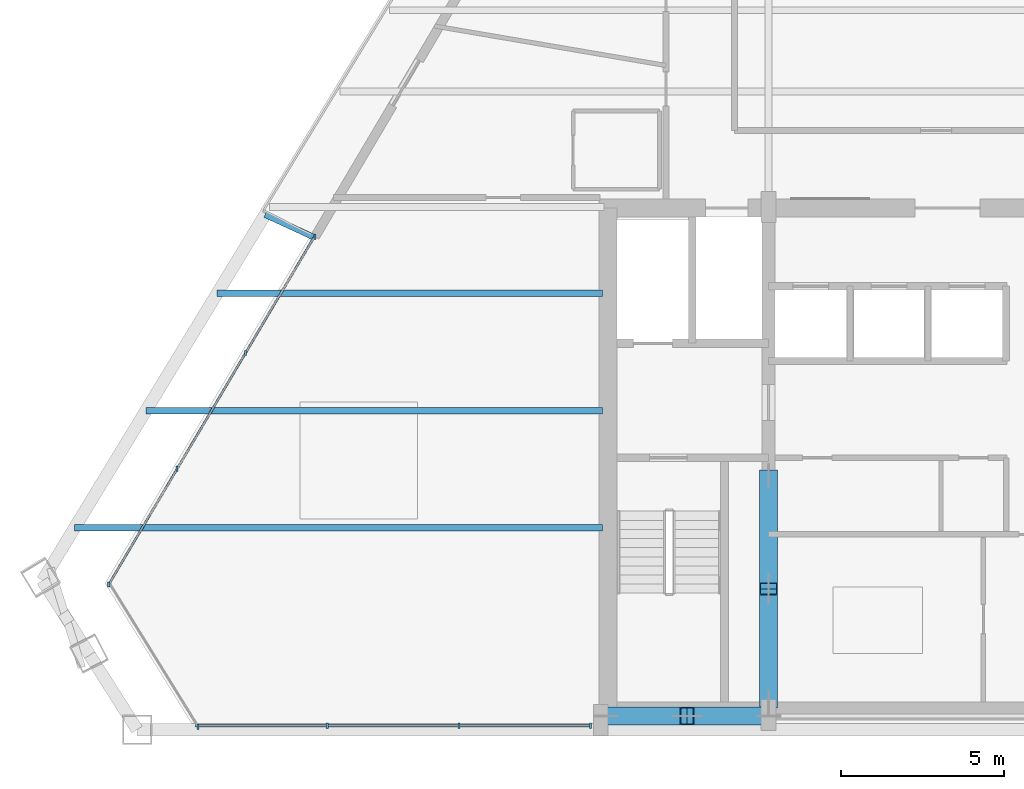
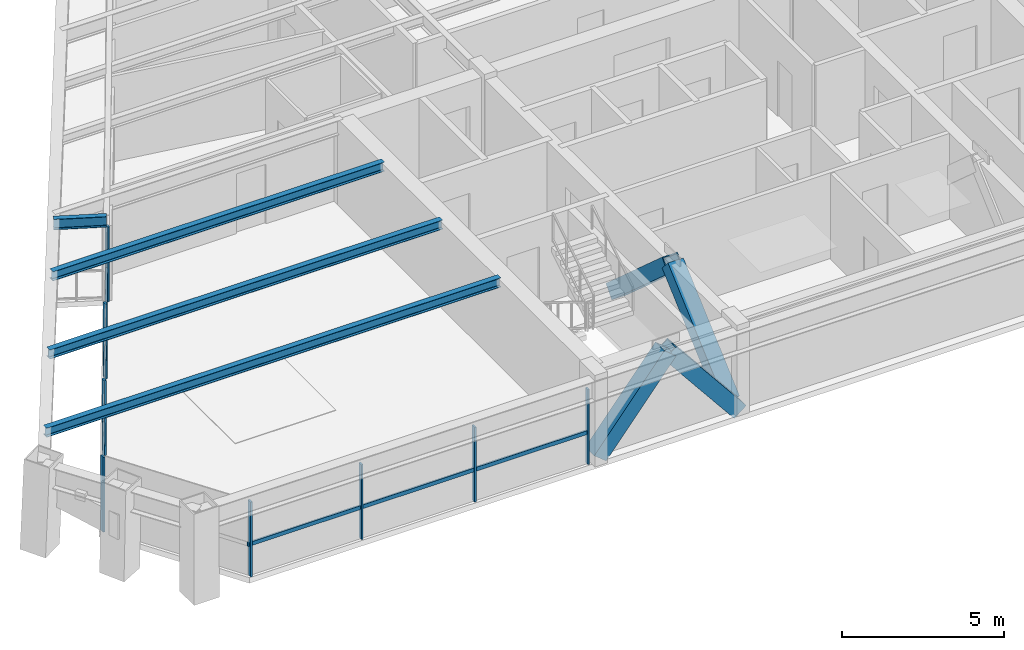
# One storey, part 2 of 13: 18 members, 4 beams, 3 elements without a shape of their own.
"""IFC4 building model written with IfcOpenShell, lengths in metres."""

from ifc_helpers import new_model, si_unit, direction, frame, origin, origin_2d, place, context, subcontext, project, spatial, rectangle, hollow_rectangle, i_section, extrude, source, transform, mapped, material, material_profile, profile_set, type_object, type_shapes, element, aggregate, save


model = new_model("IFC4")

# Units and contexts
model_context = context("Model", 3, precision=1e-05, world=origin(), true_north=direction((0.0, 1.0)))
body_context = subcontext(model_context, "Body", "Model", "MODEL_VIEW")
ifc_project = project(units=[si_unit("LENGTHUNIT", "METRE"), si_unit("AREAUNIT", "SQUARE_METRE"), si_unit("VOLUMEUNIT", "CUBIC_METRE"), si_unit("PLANEANGLEUNIT", "RADIAN"), si_unit("MASSUNIT", "GRAM", prefix="KILO")], contexts=[model_context])

# Site, building, storey
site_placement = place(None, origin())
site = spatial("IfcSite", under=ifc_project, at=site_placement, CompositionType="ELEMENT")
building_placement = place(site_placement, origin())
building = spatial("IfcBuilding", under=site, at=building_placement, Name="Varnakhor Terracotta Tower", CompositionType="ELEMENT")
storey_placement = place(building_placement, frame((0.0, 0.0, 237.25)))
storey = spatial("IfcBuildingStorey", under=building, at=storey_placement, Name="L61", CompositionType="ELEMENT", Elevation=237.25)

# Members
ifc_material_1 = material(Name="Steel S355", Category="steel")
ifc_material_profile_1 = material_profile(ifc_material_1, hollow_rectangle(XDim=0.550048828125, YDim=0.550048828125, WallThickness=0.034912109375, at=origin_2d()), Name="HSS550X550X35")
ifc_profile_set_1 = profile_set([ifc_material_profile_1], Name="Steel S355")
member_type_1 = type_object("IfcMemberType", Name="MBR-MEGA-550", PredefinedType="BRACE", material=ifc_profile_set_1)
shared_shape_1 = source(origin(), body_context, "Body", "SweptSolid", [
    extrude(hollow_rectangle(XDim=0.550048828125, YDim=0.550048828125, WallThickness=0.034912109375, at=origin_2d()), origin(), (0.0, 0.0, 1.0), 3.974853515625),
])
for number, where, z_axis, x_axis, name in (
    (1, (-10.5, 0.419921875, 0.0), (0.628970263838, 0.0, 0.777429358339), (0.0, 1.0, 0.0), "L61 Core Coupled Brace CSWA"),
    (2, (-5.5, 0.419921875, 0.0), (-0.628970263838, 0.0, 0.777429358339), (0.0, -1.0, 0.0), "L61 Core Coupled Brace CSWB"),
):
    element("IfcMember", number, at=place(storey_placement, frame(where, z_axis=z_axis, x_axis=x_axis)), inside=storey, type_object=member_type_1, Name=name, PredefinedType="BRACE", context=body_context, shape_type="MappedRepresentation", body=[
        mapped(shared_shape_1, transform((0.0, 0.0, 0.0), scale=1.0)),
    ])
shared_shape_2 = source(origin(), body_context, "Body", "SweptSolid", [
    extrude(hollow_rectangle(XDim=0.550048828125, YDim=0.550048828125, WallThickness=0.034912109375, at=origin_2d()), origin(), (0.0, 0.0, 1.0), 4.650146484375),
])
for number, where, z_axis, x_axis, name in (
    (3, (-5.5, 0.85009765625, 0.0), (0.0, 0.74726736397, 0.664523503532), (-1.0, 0.0, 0.0), "L61 Core Coupled Brace CWWA"),
    (4, (-5.5, 7.800048828125, 0.0), (0.0, -0.74729054724, 0.664497432655), (1.0, 0.0, 0.0), "L61 Core Coupled Brace CWWB"),
):
    element("IfcMember", number, at=place(storey_placement, frame(where, z_axis=z_axis, x_axis=x_axis)), inside=storey, type_object=member_type_1, Name=name, PredefinedType="BRACE", context=body_context, shape_type="MappedRepresentation", body=[
        mapped(shared_shape_2, transform((0.0, 0.0, 0.0), scale=1.0)),
    ])

# Beams
ifc_material_profile_2 = material_profile(ifc_material_1, i_section(OverallWidth=0.202880859375, OverallDepth=0.346923828125, WebThickness=0.0078125, FlangeThickness=0.013427734375, FilletRadius=0.01806640625, at=origin_2d()), Name="W14X43")
ifc_profile_set_2 = profile_set([ifc_material_profile_2], Name="Steel S355")
beam_type_1 = type_object("IfcBeamType", Name="JST-W14X43", PredefinedType="JOIST", material=ifc_profile_set_2)
shared_shape_3 = source(origin(), body_context, "Body", "SweptSolid", [
    extrude(i_section(OverallWidth=0.202880859375, OverallDepth=0.346923828125, WebThickness=0.0078125, FlangeThickness=0.013427734375, FilletRadius=0.01806640625, at=origin_2d()), origin(), (0.0, 0.0, 1.0), 16.2138671875),
])
beam_1_placement = place(storey_placement, frame((-26.81396484375, 6.199951171875, 3.06640625), z_axis=(1.0, 0.0, 0.0), x_axis=(0.0, 1.0, 0.0)))
element("IfcBeam", 5, at=beam_1_placement, inside=storey, type_object=beam_type_1, Name="L61 Floor Joist W1", PredefinedType="JOIST", context=body_context, shape_type="MappedRepresentation", body=[
    mapped(shared_shape_3, transform((0.0, 0.0, 0.0), scale=1.0)),
])
shared_shape_4 = source(origin(), body_context, "Body", "SweptSolid", [
    extrude(i_section(OverallWidth=0.202880859375, OverallDepth=0.346923828125, WebThickness=0.0078125, FlangeThickness=0.013427734375, FilletRadius=0.01806640625, at=origin_2d()), origin(), (0.0, 0.0, 1.0), 14.02392578125),
])
beam_2_placement = place(storey_placement, frame((-24.6240234375, 9.800048828125, 3.06640625), z_axis=(1.0, 0.0, 0.0), x_axis=(0.0, 1.0, 0.0)))
element("IfcBeam", 6, at=beam_2_placement, inside=storey, type_object=beam_type_1, Name="L61 Floor Joist W2", PredefinedType="JOIST", context=body_context, shape_type="MappedRepresentation", body=[
    mapped(shared_shape_4, transform((0.0, 0.0, 0.0), scale=1.0)),
])
shared_shape_5 = source(origin(), body_context, "Body", "SweptSolid", [
    extrude(i_section(OverallWidth=0.202880859375, OverallDepth=0.346923828125, WebThickness=0.0078125, FlangeThickness=0.013427734375, FilletRadius=0.01806640625, at=origin_2d()), origin(), (0.0, 0.0, 1.0), 11.834228515625),
])
beam_3_placement = place(storey_placement, frame((-22.434326171875, 13.39990234375, 3.06640625), z_axis=(1.0, 0.0, 0.0), x_axis=(0.0, 1.0, 0.0)))
element("IfcBeam", 7, at=beam_3_placement, inside=storey, type_object=beam_type_1, Name="L61 Floor Joist W3", PredefinedType="JOIST", context=body_context, shape_type="MappedRepresentation", body=[
    mapped(shared_shape_5, transform((0.0, 0.0, 0.0), scale=1.0)),
])

# Curtain wall, members
ifc_material_2 = material(Name="Anodised Aluminium Curtain Wall System", Category="aluminium")
curtain_wall_type = type_object("IfcCurtainWallType", Name="CW-SYS-HOTEL-LOGGIA", PredefinedType="NOTDEFINED", material=ifc_material_2)
curtain_wall_1_placement = place(storey_placement, origin())
curtain_wall_1 = element("IfcCurtainWall", 8, at=curtain_wall_1_placement, inside=storey, type_object=curtain_wall_type, Name="L61 W Facet Curtain Wall 1", PredefinedType="NOTDEFINED")
ifc_material_3 = material(Name="Anodised Aluminium 6063-T6", Category="aluminium")
ifc_material_profile_3 = material_profile(ifc_material_3, rectangle(XDim=0.06494140625, YDim=0.159912109375, at=origin_2d()), Name="ALU MULLION 65x160")
ifc_profile_set_3 = profile_set([ifc_material_profile_3], Name="Anodised Aluminium 6063-T6")
member_type_2 = type_object("IfcMemberType", Name="CWM-04", PredefinedType="MULLION", material=ifc_profile_set_3)
shared_shape_6 = source(origin(), body_context, "Body", "SweptSolid", [
    extrude(rectangle(XDim=0.06494140625, YDim=0.159912109375, at=origin_2d()), origin(), (0.0, 0.0, 1.0), 2.820068359375),
])
type_shapes(member_type_2, [shared_shape_6])
member_1_placement = place(storey_placement, frame((-25.763671875, 4.4580078125, 0.0), z_axis=(0.0, 0.0, 1.0), x_axis=(1.0, 0.0, 0.0)))
member_1 = element("IfcMember", 9, at=member_1_placement, type_object=member_type_2, Name="L61 W Facet Curtain Wall 1 Mullion 1", PredefinedType="MULLION", context=body_context, shape_type="MappedRepresentation", body=[
    mapped(shared_shape_6, transform((0.0, 0.0, 0.0), scale=1.0)),
])
member_2_placement = place(storey_placement, frame((-23.663330078125, 8.012451171875, 0.0), z_axis=(0.0, 0.0, 1.0), x_axis=(1.0, 0.0, 0.0)))
member_2 = element("IfcMember", 10, at=member_2_placement, type_object=member_type_2, Name="L61 W Facet Curtain Wall 1 Mullion 2", PredefinedType="MULLION", context=body_context, shape_type="MappedRepresentation", body=[
    mapped(shared_shape_6, transform((0.0, 0.0, 0.0), scale=1.0)),
])
member_3_placement = place(storey_placement, frame((-21.56298828125, 11.567138671875, 0.0), z_axis=(0.0, 0.0, 1.0), x_axis=(1.0, 0.0, 0.0)))
member_3 = element("IfcMember", 11, at=member_3_placement, type_object=member_type_2, Name="L61 W Facet Curtain Wall 1 Mullion 3", PredefinedType="MULLION", context=body_context, shape_type="MappedRepresentation", body=[
    mapped(shared_shape_6, transform((0.0, 0.0, 0.0), scale=1.0)),
])
member_4_placement = place(storey_placement, frame((-19.43017578125, 15.137451171875, 0.0), z_axis=(0.0, 0.0, 1.0), x_axis=(1.0, 0.0, 0.0)))
member_4 = element("IfcMember", 12, at=member_4_placement, type_object=member_type_2, Name="L61 W Loggia Jamb Closure Mullion 1", PredefinedType="MULLION", context=body_context, shape_type="MappedRepresentation", body=[
    mapped(shared_shape_6, transform((0.0, 0.0, 0.0), scale=1.0)),
])

curtain_wall_2_placement = place(storey_placement, origin())
curtain_wall_2 = element("IfcCurtainWall", 13, at=curtain_wall_2_placement, inside=storey, type_object=curtain_wall_type, Name="L61 South Wing Curtain Wall SSW", PredefinedType="NOTDEFINED")
member_5_placement = place(storey_placement, frame((-10.969970703125, 0.1201171875, 0.0), z_axis=(0.0, 0.0, 1.0), x_axis=(1.0, 0.0, 0.0)))
member_5 = element("IfcMember", 14, at=member_5_placement, type_object=member_type_2, Name="L61 South Wing Curtain Wall SSW Mullion 1", PredefinedType="MULLION", context=body_context, shape_type="MappedRepresentation", body=[
    mapped(shared_shape_6, transform((0.0, 0.0, 0.0), scale=1.0)),
])
member_6_placement = place(storey_placement, frame((-15.011474609375, 0.1201171875, 0.0), z_axis=(0.0, 0.0, 1.0), x_axis=(1.0, 0.0, 0.0)))
member_6 = element("IfcMember", 15, at=member_6_placement, type_object=member_type_2, Name="L61 South Wing Curtain Wall SSW Mullion 2", PredefinedType="MULLION", context=body_context, shape_type="MappedRepresentation", body=[
    mapped(shared_shape_6, transform((0.0, 0.0, 0.0), scale=1.0)),
])
member_7_placement = place(storey_placement, frame((-19.052978515625, 0.1201171875, 0.0), z_axis=(0.0, 0.0, 1.0), x_axis=(1.0, 0.0, 0.0)))
member_7 = element("IfcMember", 16, at=member_7_placement, type_object=member_type_2, Name="L61 South Wing Curtain Wall SSW Mullion 3", PredefinedType="MULLION", context=body_context, shape_type="MappedRepresentation", body=[
    mapped(shared_shape_6, transform((0.0, 0.0, 0.0), scale=1.0)),
])

# Curtain wall, member
curtain_wall_3_placement = place(storey_placement, origin())
curtain_wall_3 = element("IfcCurtainWall", 17, at=curtain_wall_3_placement, inside=storey, type_object=curtain_wall_type, Name="L61 Facet Curtain Wall 6", PredefinedType="NOTDEFINED")
member_8_placement = place(storey_placement, frame((-23.01806640625, 0.088623046875, 0.0), z_axis=(0.0, 0.0, 1.0), x_axis=(1.0, 0.0, 0.0)))
member_8 = element("IfcMember", 18, at=member_8_placement, type_object=member_type_2, Name="L61 Facet Curtain Wall 6 Mullion 1", PredefinedType="MULLION", context=body_context, shape_type="MappedRepresentation", body=[
    mapped(shared_shape_6, transform((0.0, 0.0, 0.0), scale=1.0)),
])
aggregate(curtain_wall_3, [member_8])

# Member
ifc_material_profile_4 = material_profile(ifc_material_3, rectangle(XDim=0.06494140625, YDim=0.14501953125, at=origin_2d()), Name="ALU TRANSOM 65x145")
ifc_profile_set_4 = profile_set([ifc_material_profile_4], Name="Anodised Aluminium 6063-T6")
member_type_3 = type_object("IfcMemberType", Name="CWT-04", PredefinedType="USERDEFINED", material=ifc_profile_set_4)
shared_shape_7 = source(origin(), body_context, "Body", "SweptSolid", [
    extrude(rectangle(XDim=0.06494140625, YDim=0.14501953125, at=origin_2d()), origin(), (0.0, 0.0, 1.0), 4.128662109375),
])
member_9_placement = place(storey_placement, frame((-25.763671875, 4.4580078125, 1.184326171875), z_axis=(0.508727319872, 0.860927705453, 0.0), x_axis=(-0.860927705453, 0.508727319872, 0.0)))
member_9 = element("IfcMember", 19, at=member_9_placement, type_object=member_type_3, Name="L61 W Facet Curtain Wall 1 Transom 1", ObjectType="TRANSOM", PredefinedType="USERDEFINED", context=body_context, shape_type="MappedRepresentation", body=[
    mapped(shared_shape_7, transform((0.0, 0.0, 0.0), scale=1.0)),
])

shared_shape_8 = source(origin(), body_context, "Body", "SweptSolid", [
    extrude(rectangle(XDim=0.06494140625, YDim=0.14501953125, at=origin_2d()), origin(), (0.0, 0.0, 1.0), 4.12890625),
])
member_10_placement = place(storey_placement, frame((-23.663330078125, 8.012451171875, 1.184326171875), z_axis=(0.508701421728, 0.860943008295, 0.0), x_axis=(-0.860943008295, 0.508701421728, 0.0)))
member_10 = element("IfcMember", 20, at=member_10_placement, type_object=member_type_3, Name="L61 W Facet Curtain Wall 1 Transom 2", ObjectType="TRANSOM", PredefinedType="USERDEFINED", context=body_context, shape_type="MappedRepresentation", body=[
    mapped(shared_shape_8, transform((0.0, 0.0, 0.0), scale=1.0)),
])

member_11_placement = place(storey_placement, frame((-21.56298828125, 11.567138671875, 1.184326171875), z_axis=(0.508701421728, 0.860943008295, 0.0), x_axis=(-0.860943008295, 0.508701421728, 0.0)))
member_11 = element("IfcMember", 21, at=member_11_placement, type_object=member_type_3, Name="L61 W Facet Curtain Wall 1 Transom 3", ObjectType="TRANSOM", PredefinedType="USERDEFINED", context=body_context, shape_type="MappedRepresentation", body=[
    mapped(shared_shape_8, transform((0.0, 0.0, 0.0), scale=1.0)),
])

aggregate(curtain_wall_1, [member_1, member_9, member_2, member_10, member_3, member_11, member_4])

shared_shape_9 = source(origin(), body_context, "Body", "SweptSolid", [
    extrude(rectangle(XDim=0.06494140625, YDim=0.14501953125, at=origin_2d()), origin(), (0.0, 0.0, 1.0), 4.04150390625),
])
member_12_placement = place(storey_placement, frame((-10.969970703125, 0.1201171875, 1.184326171875), z_axis=(-1.0, 0.0, 0.0), x_axis=(0.0, -1.0, 0.0)))
member_12 = element("IfcMember", 22, at=member_12_placement, type_object=member_type_3, Name="L61 South Wing Curtain Wall SSW Transom 1", ObjectType="TRANSOM", PredefinedType="USERDEFINED", context=body_context, shape_type="MappedRepresentation", body=[
    mapped(shared_shape_9, transform((0.0, 0.0, 0.0), scale=1.0)),
])

member_13_placement = place(storey_placement, frame((-15.011474609375, 0.1201171875, 1.184326171875), z_axis=(-1.0, 0.0, 0.0), x_axis=(0.0, -1.0, 0.0)))
member_13 = element("IfcMember", 23, at=member_13_placement, type_object=member_type_3, Name="L61 South Wing Curtain Wall SSW Transom 2", ObjectType="TRANSOM", PredefinedType="USERDEFINED", context=body_context, shape_type="MappedRepresentation", body=[
    mapped(shared_shape_9, transform((0.0, 0.0, 0.0), scale=1.0)),
])

member_14_placement = place(storey_placement, frame((-19.052978515625, 0.1201171875, 1.184326171875), z_axis=(-1.0, 0.0, 0.0), x_axis=(0.0, -1.0, 0.0)))
member_14 = element("IfcMember", 24, at=member_14_placement, type_object=member_type_3, Name="L61 South Wing Curtain Wall SSW Transom 3", ObjectType="TRANSOM", PredefinedType="USERDEFINED", context=body_context, shape_type="MappedRepresentation", body=[
    mapped(shared_shape_9, transform((0.0, 0.0, 0.0), scale=1.0)),
])

aggregate(curtain_wall_2, [member_5, member_12, member_6, member_13, member_7, member_14])

# Beam
ifc_material_profile_5 = material_profile(ifc_material_1, i_section(OverallWidth=0.179931640625, OverallDepth=0.39990234375, WebThickness=0.008544921875, FlangeThickness=0.013427734375, FilletRadius=0.01806640625, at=origin_2d()), Name="IPE400")
ifc_profile_set_5 = profile_set([ifc_material_profile_5], Name="Steel S355")
beam_type_2 = type_object("IfcBeamType", Name="JST-IPE400", PredefinedType="JOIST", material=ifc_profile_set_5)
shared_shape_10 = source(origin(), body_context, "Body", "SweptSolid", [
    extrude(i_section(OverallWidth=0.179931640625, OverallDepth=0.39990234375, WebThickness=0.008544921875, FlangeThickness=0.013427734375, FilletRadius=0.01806640625, at=origin_2d()), origin(), (0.0, 0.0, 1.0), 1.645263671875),
])
beam_4_placement = place(storey_placement, frame((-19.47021484375, 15.12744140625, 3.0400390625), z_axis=(-0.907607250713, 0.419820293046, 0.0), x_axis=(-0.419820293046, -0.907607250713, 0.0)))
element("IfcBeam", 25, at=beam_4_placement, inside=storey, type_object=beam_type_2, Name="L62 W Loggia Tie Beam 1", PredefinedType="JOIST", context=body_context, shape_type="MappedRepresentation", body=[
    mapped(shared_shape_10, transform((0.0, 0.0, 0.0), scale=1.0)),
])

save(model, "model.ifc")
